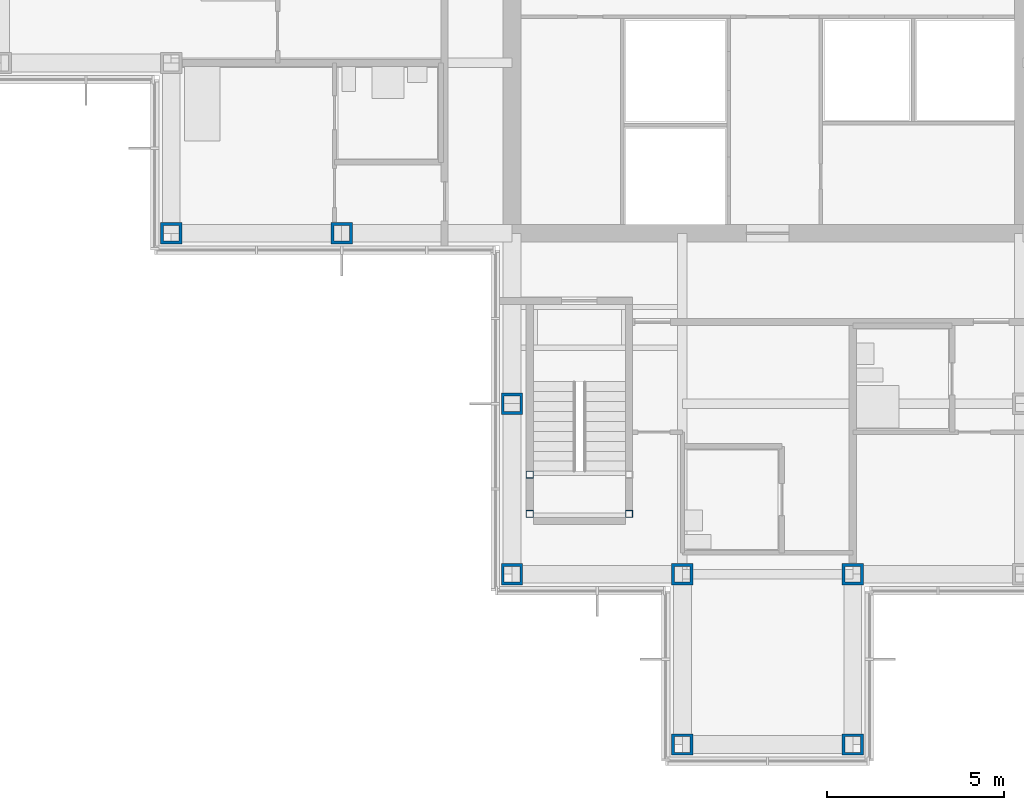
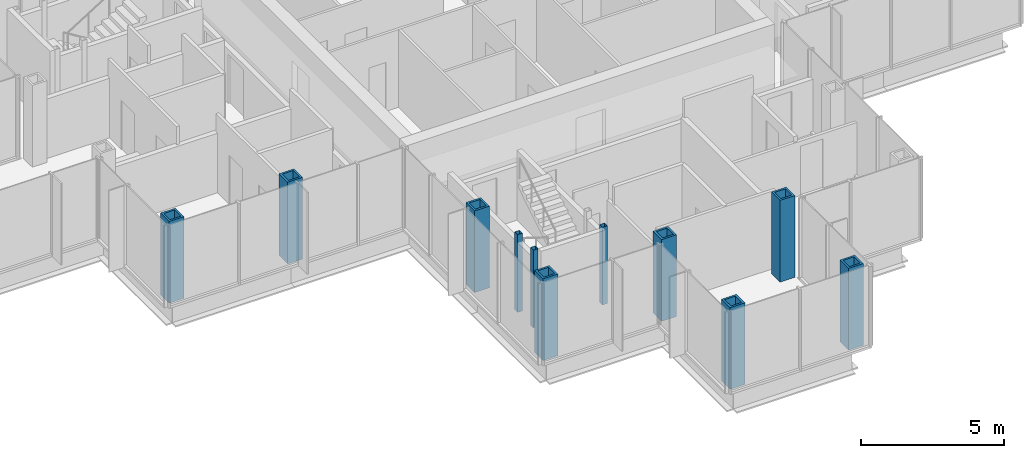
# One storey, part 1 of 17: 11 columns.
"""IFC4 building model written with IfcOpenShell, lengths in metres."""

from ifc_helpers import new_model, si_unit, direction, frame, origin, origin_2d, place, context, subcontext, project, spatial, hollow_rectangle, extrude, material, material_profile, profile_set, type_object, element, save


model = new_model("IFC4")

# Units and contexts
model_context = context("Model", 3, precision=1e-05, world=origin(), true_north=direction((0.0, 1.0)))
body_context = subcontext(model_context, "Body", "Model", "MODEL_VIEW")
ifc_project = project(units=[si_unit("LENGTHUNIT", "METRE"), si_unit("AREAUNIT", "SQUARE_METRE"), si_unit("VOLUMEUNIT", "CUBIC_METRE"), si_unit("PLANEANGLEUNIT", "RADIAN"), si_unit("MASSUNIT", "GRAM", prefix="KILO")], contexts=[model_context])

# Site, building, storey
site_placement = place(None, origin())
site = spatial("IfcSite", under=ifc_project, at=site_placement, CompositionType="ELEMENT")
building_placement = place(site_placement, origin())
building = spatial("IfcBuilding", under=site, at=building_placement, Name="Kvirike Care Tower", CompositionType="ELEMENT")
storey_placement = place(building_placement, frame((0.0, 0.0, 172.5)))
storey = spatial("IfcBuildingStorey", under=building, at=storey_placement, Name="L47", CompositionType="ELEMENT", Elevation=172.5)

# Columns
ifc_material_1 = material(Name="Steel S460", Category="steel")
ifc_material_profile_1 = material_profile(ifc_material_1, hollow_rectangle(XDim=0.60009765625, YDim=0.60009765625, WallThickness=0.080078125, at=origin_2d()), Name="BX 600x600x80")
ifc_profile_set_1 = profile_set([ifc_material_profile_1], Name="Steel S460")
column_type_1 = type_object("IfcColumnType", Name="COLUMN BX 600x600x80", PredefinedType="COLUMN", material=ifc_profile_set_1)
for number, where, z_axis, x_axis, name in (
    (1, (4.800048828125, 28.800048828125, 0.0), (0.0, 0.0, 1.0), (0.0, 1.0, 0.0), "Column G4 L47"),
    (2, (9.60009765625, 28.800048828125, 0.0), (0.0, 0.0, 1.0), (0.0, 1.0, 0.0), "Column G5 L47"),
    (3, (14.39990234375, 19.199951171875, 0.0), (0.0, 0.0, 1.0), (0.0, 1.0, 0.0), "Column E6 L47"),
    (4, (14.39990234375, 24.0, 0.0), (0.0, 0.0, 1.0), (1.0, 0.0, 0.0), "Column F6 L47"),
    (5, (19.199951171875, 14.39990234375, 0.0), (0.0, 0.0, 1.0), (0.0, 1.0, 0.0), "Column D7 L47"),
    (6, (19.199951171875, 19.199951171875, 0.0), (0.0, 0.0, 1.0), (0.0, 1.0, 0.0), "Column E7 L47"),
    (7, (24.0, 14.39990234375, 0.0), (0.0, 0.0, 1.0), (0.0, 1.0, 0.0), "Column D8 L47"),
    (8, (24.0, 19.199951171875, 0.0), (0.0, 0.0, 1.0), (0.0, 1.0, 0.0), "Column E8 L47"),
):
    element("IfcColumn", number, at=place(storey_placement, frame(where, z_axis=z_axis, x_axis=x_axis)), inside=storey, type_object=column_type_1, Name=name, PredefinedType="COLUMN", context=body_context, shape_type="SweptSolid", body=[
        extrude(hollow_rectangle(XDim=0.60009765625, YDim=0.60009765625, WallThickness=0.080078125, at=origin_2d()), origin(), (0.0, 0.0, 1.0), 3.5),
    ])
ifc_material_2 = material(Name="Steel S460", Category="steel")
ifc_material_profile_2 = material_profile(ifc_material_2, hollow_rectangle(XDim=0.199951171875, YDim=0.199951171875, WallThickness=0.008056640625, at=origin_2d()), Name="SHS 200x200x8")
ifc_profile_set_2 = profile_set([ifc_material_profile_2], Name="Steel S460")
column_type_2 = type_object("IfcColumnType", Name="STAIR POST SHS 200x200x8", PredefinedType="COLUMN", material=ifc_profile_set_2)
for number, where, z_axis, x_axis, name in (
    (9, (14.89990234375, 20.89990234375, 0.0), (0.0, 0.0, 1.0), (1.0, 0.0, 0.0), "Stair 5 post 1 L47"),
    (10, (17.699951171875, 20.89990234375, 0.0), (0.0, 0.0, 1.0), (1.0, 0.0, 0.0), "Stair 5 post 2 L47"),
    (11, (14.89990234375, 22.0, 0.0), (0.0, 0.0, 1.0), (1.0, 0.0, 0.0), "Stair 5 post 3 L47"),
):
    element("IfcColumn", number, at=place(storey_placement, frame(where, z_axis=z_axis, x_axis=x_axis)), inside=storey, type_object=column_type_2, Name=name, PredefinedType="COLUMN", context=body_context, shape_type="SweptSolid", body=[
        extrude(hollow_rectangle(XDim=0.199951171875, YDim=0.199951171875, WallThickness=0.008056640625, at=origin_2d()), origin(), (0.0, 0.0, 1.0), 3.330078125),
    ])

save(model, "model.ifc")
